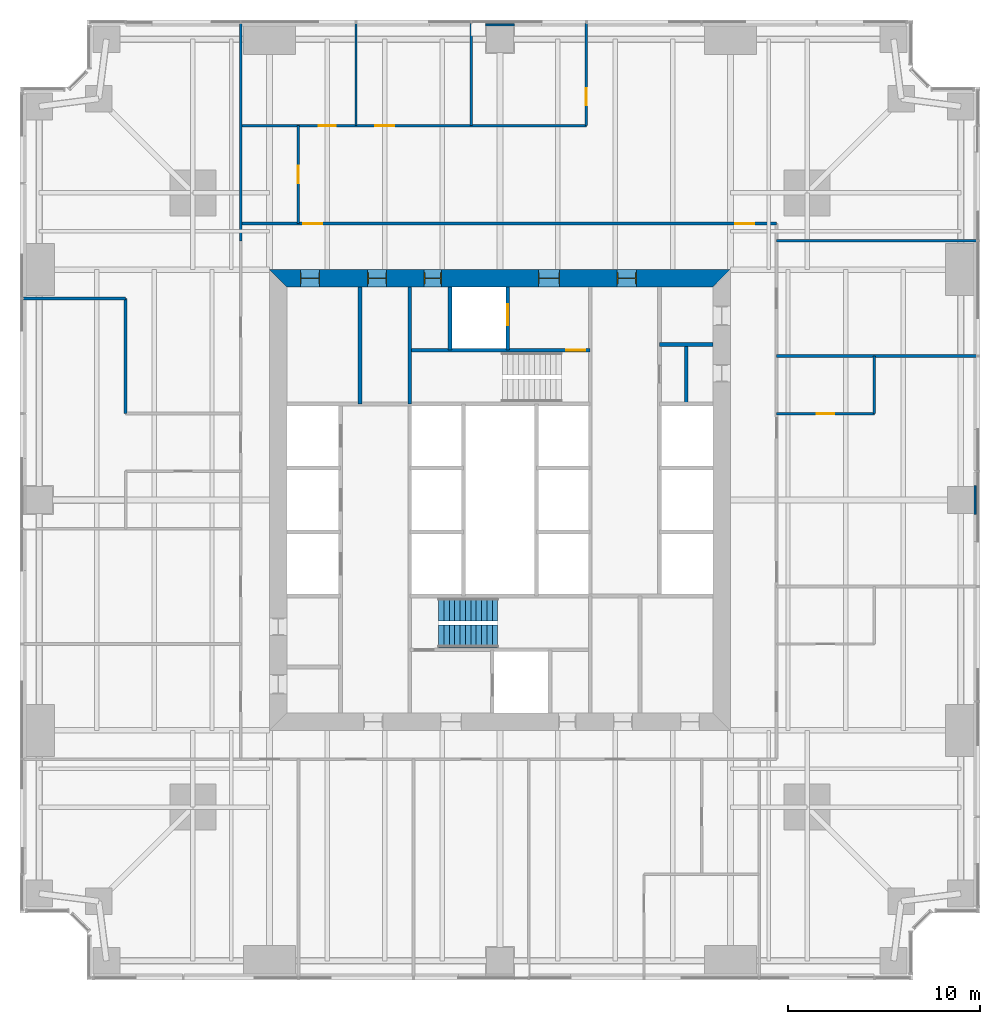
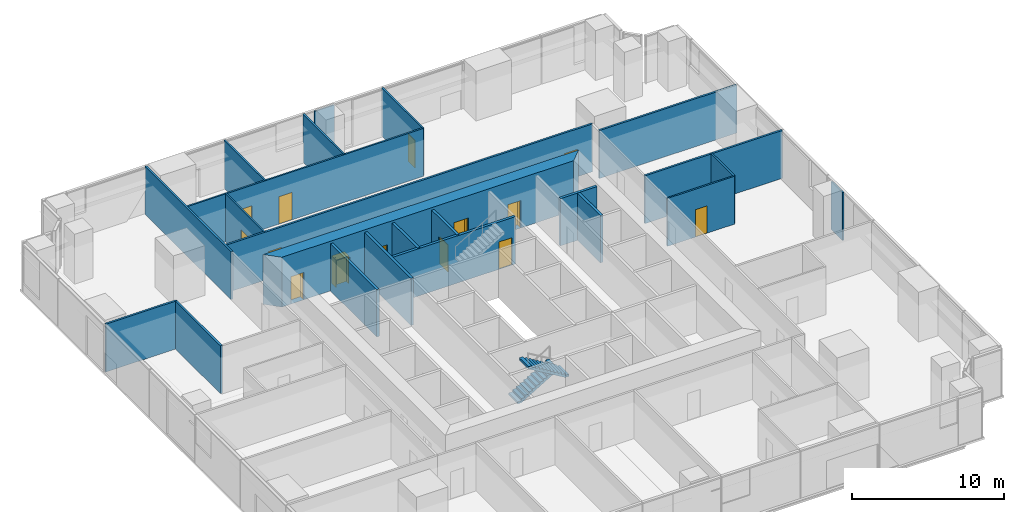
# One storey, part 11 of 14: 23 walls, 14 doors, 2 stair flights, 14 openings, 1 element without a shape of its own.
"""IFC4 building model written with IfcOpenShell, lengths in metres."""

import ifcopenshell
import ifcopenshell.guid

model = None  # the IFC model being written
_history = None  # IfcOwnerHistory: only IFC2X3 demands one
_inside = {}  # id of a spatial element -> (the spatial element, [elements in it])
_under = {}  # id of a project, library or spatial element -> (it, [spatial elements below it])
_declared = {}  # id of a project -> (the project, [libraries it declares])
_typed = {}  # id of a type object -> (the type object, [elements of that type])
_made_of = {}  # id of a material, layer set ... -> (it, [elements and type objects made of it])


def new_model(schema):
    """Start an empty IFC model of exactly this schema.

    Asked for "IFC4X3", IfcOpenShell would pick the latest addendum, in which some entities
    have other attributes; the version numbers below select the first issue.
    IFC2X3 requires an IfcOwnerHistory on every rooted entity: one is made here for all.
    """
    global model, _history
    if schema == "IFC4X3":
        model = ifcopenshell.file(schema_version=(4, 3, 0, 0))
    else:
        model = ifcopenshell.file(schema=schema)
    _inside.clear()
    _under.clear()
    _declared.clear()
    _typed.clear()
    _made_of.clear()
    _history = None
    if model.schema == "IFC2X3":
        org = make("IfcOrganization", Name="unknown")
        user = make(
            "IfcPersonAndOrganization",
            ThePerson=make("IfcPerson", FamilyName="unknown"),
            TheOrganization=org,
        )
        app = make(
            "IfcApplication",
            ApplicationDeveloper=org,
            Version="unknown",
            ApplicationFullName="unknown",
            ApplicationIdentifier="unknown",
        )
        _history = make(
            "IfcOwnerHistory",
            OwningUser=user,
            OwningApplication=app,
            ChangeAction="ADDED",
            CreationDate=0,
        )
    return model


def make(cls, **values):
    """One entity of the class cls with the attributes given. An attribute that is None is left unset."""
    return model.create_entity(
        cls, **{name: value for name, value in values.items() if value is not None}
    )


def rooted(cls, **values):
    """An entity with a GlobalId (a new one), such as an element, a storey or a relation."""
    return make(cls, GlobalId=ifcopenshell.guid.new(), OwnerHistory=_history, **values)


def si_unit(unit_type, name, prefix=None):
    """IfcSIUnit, for example si_unit("LENGTHUNIT", "METRE", prefix="MILLI")."""
    return make("IfcSIUnit", UnitType=unit_type, Prefix=prefix, Name=name)


def assignment(units):
    """IfcUnitAssignment: the units of a project."""
    return None if units is None else make("IfcUnitAssignment", Units=units)


def point(xyz):
    """IfcCartesianPoint."""
    return None if xyz is None else make("IfcCartesianPoint", Coordinates=xyz)


def direction(xyz):
    """IfcDirection."""
    return None if xyz is None else make("IfcDirection", DirectionRatios=xyz)


def frame(location, z_axis=None, x_axis=None):
    """IfcAxis2Placement3D, a coordinate frame: its origin and axes. An axis left out is left unset."""
    return make(
        "IfcAxis2Placement3D",
        Location=point(location),
        Axis=direction(z_axis),
        RefDirection=direction(x_axis),
    )


def frame_2d(location, x_axis=None):
    """IfcAxis2Placement2D, a coordinate frame in the plane: its origin and x axis."""
    return make(
        "IfcAxis2Placement2D", Location=point(location), RefDirection=direction(x_axis)
    )


def origin():
    """The frame at (0, 0, 0) with its axes left unset."""
    return frame((0.0, 0.0, 0.0))


def place(relative_to, where):
    """IfcLocalPlacement: puts the frame where relative to a parent placement (None: the world)."""
    return make(
        "IfcLocalPlacement", PlacementRelTo=relative_to, RelativePlacement=where
    )


def context(
    kind, dimensions, precision=None, world=None, true_north=None, identifier=None
):
    """IfcGeometricRepresentationContext, for example the 3D "Model" context."""
    return make(
        "IfcGeometricRepresentationContext",
        ContextIdentifier=identifier,
        ContextType=kind,
        CoordinateSpaceDimension=dimensions,
        Precision=precision,
        WorldCoordinateSystem=world,
        TrueNorth=true_north,
    )


def subcontext(parent, identifier, kind, view, scale=None):
    """IfcGeometricRepresentationSubContext, for example "Body" below "Model"."""
    return make(
        "IfcGeometricRepresentationSubContext",
        ContextIdentifier=identifier,
        ContextType=kind,
        ParentContext=parent,
        TargetScale=scale,
        TargetView=view,
    )


def project(units=None, contexts=None):
    """IfcProject with its units and contexts."""
    return rooted(
        "IfcProject",
        Name="project",
        RepresentationContexts=contexts,
        UnitsInContext=assignment(units),
    )


def spatial(cls, under=None, at=None, **own):
    """A site, building, storey or space (cls), placed at a placement, below another one or the project."""
    s = rooted(cls, ObjectPlacement=at, **own)
    if under is not None:
        _under.setdefault(under.id(), (under, []))[1].append(s)
    return s


def polyline(points):
    """IfcPolyline through the points."""
    return make("IfcPolyline", Points=[point(p) for p in points])


def profile(cls, at=None, kind="AREA", **sizes):
    """A parametric profile (cls). Its sizes go by their IFC names, for example OverallWidth=200.0."""
    return make(cls, ProfileType=kind, Position=at, **sizes)


def rectangle(**sizes):
    """IfcRectangleProfileDef."""
    return profile("IfcRectangleProfileDef", **sizes)


def outline(outer, holes=None, kind="AREA"):
    """IfcArbitraryClosedProfileDef: a profile drawn as a closed curve; with holes, ...WithVoids."""
    if holes is None:
        return make("IfcArbitraryClosedProfileDef", ProfileType=kind, OuterCurve=outer)
    return make(
        "IfcArbitraryProfileDefWithVoids",
        ProfileType=kind,
        OuterCurve=outer,
        InnerCurves=holes,
    )


def extrude(swept, where, along, depth):
    """IfcExtrudedAreaSolid: the profile swept, set in the frame where, extruded along a direction by depth."""
    return make(
        "IfcExtrudedAreaSolid",
        SweptArea=swept,
        Position=where,
        ExtrudedDirection=direction(along),
        Depth=depth,
    )


def shape(context_of_items, identifier, shape_type, items):
    """IfcShapeRepresentation: the items that make up one representation, for example the "Body"."""
    return make(
        "IfcShapeRepresentation",
        ContextOfItems=context_of_items,
        RepresentationIdentifier=identifier,
        RepresentationType=shape_type,
        Items=items,
    )


def material(Name=None, Category=None):
    """IfcMaterial."""
    return make("IfcMaterial", Name=Name, Category=Category)


def layer(
    of_material, thickness, ventilated=None, Name=None, Category=None, Priority=None
):
    """IfcMaterialLayer: one layer of a wall or slab, of a material (None: an air gap)."""
    return make(
        "IfcMaterialLayer",
        Material=of_material,
        LayerThickness=thickness,
        IsVentilated=ventilated,
        Name=Name,
        Category=Category,
        Priority=Priority,
    )


def layer_set(layers, Name=None):
    """IfcMaterialLayerSet."""
    return make("IfcMaterialLayerSet", MaterialLayers=layers, LayerSetName=Name)


def made_of(thing, what):
    """Note that an element or type object is made of a material, layer set ...; save() writes the relation."""
    if what is not None:
        _made_of.setdefault(what.id(), (what, []))[1].append(thing)
    return thing


def type_object(cls, material=None, **own):
    """A type object (cls), such as IfcWallType, which elements share."""
    return made_of(rooted(cls, **own), material)


def element(
    cls,
    number,
    at=None,
    inside=None,
    cuts=None,
    type_object=None,
    material=None,
    context=None,
    identifier="Body",
    shape_type=None,
    held_by="IfcProductDefinitionShape",
    body=None,
    shapes=None,
    **own,
):
    """One element of the class cls, such as IfcWall. Its Tag is "e" and its number.

    at: its placement. inside: the storey or other place that contains it. cuts: it is an
    opening in that element (IfcRelVoidsElement). A single representation is given by context,
    identifier, shape_type and body (its items); several are given by shapes. held_by: the class
    of the entity that holds the representations. save() writes the other relations.
    """
    e = rooted(cls, Tag="e%d" % number, ObjectPlacement=at, **own)
    if body is not None:
        shapes = [shape(context, identifier, shape_type, body)]
    if shapes is not None:
        e.Representation = make(held_by, Representations=shapes)
    if inside is not None:
        _inside.setdefault(inside.id(), (inside, []))[1].append(e)
    if cuts is not None:
        rooted(
            "IfcRelVoidsElement", RelatingBuildingElement=cuts, RelatedOpeningElement=e
        )
    if type_object is not None:
        _typed.setdefault(type_object.id(), (type_object, []))[1].append(e)
    return made_of(e, material)


def fill(opening, filler):
    """IfcRelFillsElement: the door or window that sits in an opening."""
    return rooted(
        "IfcRelFillsElement",
        RelatingOpeningElement=opening,
        RelatedBuildingElement=filler,
    )


def aggregate(whole, parts):
    """IfcRelAggregates: a whole, such as a stair, and the parts it consists of."""
    return rooted("IfcRelAggregates", RelatingObject=whole, RelatedObjects=parts)


def save(model, path):
    """Write the relations noted so far, then the file.

    IfcRelAggregates (storeys below a building ...), IfcRelContainedInSpatialStructure (elements
    in a storey), IfcRelDefinesByType, IfcRelAssociatesMaterial and IfcRelDeclares: one each for
    every whole, place, type object, material and project.
    """
    for whole, parts in _under.values():
        aggregate(whole, parts)
    for where, things in _inside.values():
        rooted(
            "IfcRelContainedInSpatialStructure",
            RelatedElements=things,
            RelatingStructure=where,
        )
    for kind, things in _typed.values():
        rooted("IfcRelDefinesByType", RelatedObjects=things, RelatingType=kind)
    for what, things in _made_of.values():
        rooted("IfcRelAssociatesMaterial", RelatedObjects=things, RelatingMaterial=what)
    for by, libraries in _declared.values():
        rooted("IfcRelDeclares", RelatingContext=by, RelatedDefinitions=libraries)
    model.write(path)


model = new_model("IFC4")

# Units and contexts
model_context = context("Model", 3, precision=1e-05, world=origin(), true_north=direction((0.0, 1.0)))
body_context = subcontext(model_context, "Body", "Model", "MODEL_VIEW")
ifc_project = project(units=[si_unit("LENGTHUNIT", "METRE"), si_unit("AREAUNIT", "SQUARE_METRE"), si_unit("VOLUMEUNIT", "CUBIC_METRE"), si_unit("PLANEANGLEUNIT", "RADIAN"), si_unit("MASSUNIT", "GRAM", prefix="KILO")], contexts=[model_context])

# Site, building, storey
site_placement = place(None, origin())
site = spatial("IfcSite", under=ifc_project, at=site_placement, CompositionType="ELEMENT")
building_placement = place(site_placement, origin())
building = spatial("IfcBuilding", under=site, at=building_placement, Name="Fenwick Lantern Interchange", CompositionType="ELEMENT")
storey_placement = place(building_placement, frame((0.0, 0.0, 71.0)))
storey = spatial("IfcBuildingStorey", under=building, at=storey_placement, Name="L16", CompositionType="ELEMENT", Elevation=71.0)

# Walls
ifc_material_1 = material(Name="Fire-rated gypsum board encasement on steel studs, 2 hour", Category="steel")
ifc_layer_1 = layer(ifc_material_1, 1.5)
ifc_layer_set_1 = layer_set([ifc_layer_1], Name="COLUMN PIER 1500")
wall_type_1 = type_object("IfcWallType", Name="COLUMN PIER 1500", PredefinedType="PARTITIONING", material=ifc_layer_set_1)
for number, where, z_axis, x_axis, name in (
    (1, (49.800048828125, 25.0, 0.0), (0.0, 0.0, 1.0), (-1.0, 0.0, 0.0), "L16/W/PIER/CE3"),
    (2, (25.0, 49.800048828125, 0.0), (0.0, 0.0, 1.0), (0.0, -1.0, 0.0), "L16/W/PIER/CN3"),
):
    element("IfcWall", number, at=place(storey_placement, frame(where, z_axis=z_axis, x_axis=x_axis)), inside=storey, type_object=wall_type_1, Name=name, PredefinedType="PARTITIONING", context=body_context, shape_type="SweptSolid", body=[
        extrude(rectangle(XDim=0.10009765625, YDim=1.5, at=frame_2d((0.050048828125, 0.0))), origin(), (0.0, 0.0, 1.0), 3.85009765625),
    ])

# Wall, opening, door
ifc_material_2 = material(Name="Concrete masonry ASTM C90 Grade N", Category="masonry")
ifc_layer_2 = layer(ifc_material_2, 0.199951171875)
ifc_layer_set_2 = layer_set([ifc_layer_2], Name="Concrete masonry ASTM C90 Grade N")
wall_type_2 = type_object("IfcWallType", Name="CORE PARTITION 200", PredefinedType="PARTITIONING", material=ifc_layer_set_2)
wall_1_placement = place(storey_placement, frame((25.39990234375, 36.10009765625, 0.0), z_axis=(0.0, 0.0, 1.0), x_axis=(0.0, -1.0, 0.0)))
wall_1 = element("IfcWall", 3, at=wall_1_placement, inside=storey, type_object=wall_type_2, Name="L16/W/COREN/h1", PredefinedType="PARTITIONING", context=body_context, shape_type="SweptSolid", body=[
    extrude(rectangle(XDim=3.300048828125, YDim=0.199951171875, at=frame_2d((1.64990234375, 0.0))), origin(), (0.0, 0.0, 1.0), 3.800048828125),
])
opening_1_placement = place(wall_1_placement, frame((0.89990234375, 0.0, 0.0)))
opening_1 = element("IfcOpeningElement", 4, at=opening_1_placement, cuts=wall_1, Name="Opening LD-FL2", PredefinedType="OPENING", context=body_context, shape_type="SweptSolid", body=[
    extrude(rectangle(XDim=1.10009765625, YDim=2.199951171875, at=frame_2d((0.550048828125, 1.10009765625))), frame((0.0, 0.10986328125, 0.0), z_axis=(0.0, -1.0, 0.0), x_axis=(1.0, 0.0, 0.0)), (0.0, 0.0, 1.0), 0.219970703125),
])
ifc_material_3 = material(Name="Steel door and frame", Category="steel")
door_type_1 = type_object("IfcDoorType", Name="LIFT LANDING DOOR 1100 X 2200", OperationType="DOUBLE_DOOR_SLIDING", PredefinedType="DOOR", material=ifc_material_3)
door_1_placement = place(opening_1_placement, origin())
door_1 = element("IfcDoor", 5, at=door_1_placement, inside=storey, type_object=door_type_1, Name="Lift landing door FL2", OperationType="DOUBLE_DOOR_SLIDING", OverallHeight=2.199951171875, OverallWidth=1.10009765625, PredefinedType="DOOR", context=body_context, shape_type="SweptSolid", body=[
    extrude(rectangle(XDim=1.10009765625, YDim=2.199951171875, at=frame_2d((0.550048828125, 1.10009765625))), frame((0.0, 0.02490234375, 0.0), z_axis=(0.0, -1.0, 0.0), x_axis=(1.0, 0.0, 0.0)), (0.0, 0.0, 1.0), 0.050048828125),
])
fill(opening_1, door_1)

# Walls
wall_2_placement = place(storey_placement, frame((22.39990234375, 36.10009765625, 0.0), z_axis=(0.0, 0.0, 1.0), x_axis=(0.0, -1.0, 0.0)))
element("IfcWall", 6, at=wall_2_placement, inside=storey, type_object=wall_type_2, Name="L16/W/COREN/h2", PredefinedType="PARTITIONING", context=body_context, shape_type="SweptSolid", body=[
    extrude(rectangle(XDim=3.300048828125, YDim=0.199951171875, at=frame_2d((1.64990234375, 0.0))), origin(), (0.0, 0.0, 1.0), 3.800048828125),
])
wall_3_placement = place(storey_placement, frame((17.699951171875, 36.10009765625, 0.0), z_axis=(0.0, 0.0, 1.0), x_axis=(0.0, -1.0, 0.0)))
element("IfcWall", 7, at=wall_3_placement, inside=storey, type_object=wall_type_2, Name="L16/W/COREN/i2", PredefinedType="PARTITIONING", context=body_context, shape_type="SweptSolid", body=[
    extrude(rectangle(XDim=6.10009765625, YDim=0.199951171875, at=frame_2d((3.050048828125, 0.0))), origin(), (0.0, 0.0, 1.0), 3.800048828125),
])
wall_4_placement = place(storey_placement, frame((36.10009765625, 33.10009765625, 0.0), z_axis=(0.0, 0.0, 1.0), x_axis=(-1.0, 0.0, 0.0)))
element("IfcWall", 8, at=wall_4_placement, inside=storey, type_object=wall_type_2, Name="L16/W/COREN/p1", PredefinedType="PARTITIONING", context=body_context, shape_type="SweptSolid", body=[
    extrude(rectangle(XDim=2.800048828125, YDim=0.199951171875, at=frame_2d((1.39990234375, 0.0))), origin(), (0.0, 0.0, 1.0), 3.800048828125),
])
wall_5_placement = place(storey_placement, frame((34.699951171875, 33.10009765625, 0.0), z_axis=(0.0, 0.0, 1.0), x_axis=(0.0, -1.0, 0.0)))
element("IfcWall", 9, at=wall_5_placement, inside=storey, type_object=wall_type_2, Name="L16/W/COREN/px", PredefinedType="PARTITIONING", context=body_context, shape_type="SweptSolid", body=[
    extrude(rectangle(XDim=3.10009765625, YDim=0.199951171875, at=frame_2d((1.550048828125, 0.0))), origin(), (0.0, 0.0, 1.0), 3.800048828125),
])

# Wall, openings, doors
ifc_material_4 = material(Name="Concrete f'c 70 MPa", Category="concrete")
ifc_layer_3 = layer(ifc_material_4, 0.89990234375)
ifc_layer_set_3 = layer_set([ifc_layer_3], Name="CORE WALL 900")
wall_type_3 = type_object("IfcWallType", Name="CORE WALL 900", PredefinedType="SHEAR", material=ifc_layer_set_3)
wall_6_placement = place(storey_placement, frame((37.0, 36.550048828125, 0.0), z_axis=(0.0, 0.0, 1.0), x_axis=(-1.0, 0.0, 0.0)))
wall_6 = element("IfcWall", 10, at=wall_6_placement, inside=storey, type_object=wall_type_3, Name="L16/CORE/N", PredefinedType="SHEAR", context=body_context, shape_type="SweptSolid", body=[
    extrude(outline(polyline([(0.0, -0.449951171875), (24.0, -0.449951171875), (23.10009765625, 0.449951171875), (0.89990234375, 0.449951171875), (0.0, -0.449951171875)])), origin(), (0.0, 0.0, 1.0), 4.0),
])
opening_2_placement = place(wall_6_placement, frame((4.89990234375, 0.0, 0.0)))
opening_2 = element("IfcOpeningElement", 11, at=opening_2_placement, cuts=wall_6, Name="Opening L16-D009", PredefinedType="OPENING", context=body_context, shape_type="SweptSolid", body=[
    extrude(rectangle(XDim=1.0, YDim=2.199951171875, at=frame_2d((0.5, 1.10009765625))), frame((0.0, 0.4599609375, 0.0), z_axis=(0.0, -1.0, 0.0), x_axis=(1.0, 0.0, 0.0)), (0.0, 0.0, 1.0), 0.919921875),
])
opening_3_placement = place(wall_6_placement, frame((8.89990234375, 0.0, 0.0)))
opening_3 = element("IfcOpeningElement", 12, at=opening_3_placement, cuts=wall_6, Name="Opening L16-D010", PredefinedType="OPENING", context=body_context, shape_type="SweptSolid", body=[
    extrude(rectangle(XDim=1.10009765625, YDim=2.199951171875, at=frame_2d((0.550048828125, 1.10009765625))), frame((0.0, 0.4599609375, 0.0), z_axis=(0.0, -1.0, 0.0), x_axis=(1.0, 0.0, 0.0)), (0.0, 0.0, 1.0), 0.919921875),
])
opening_4_placement = place(wall_6_placement, frame((15.050048828125, 0.0, 0.0)))
opening_4 = element("IfcOpeningElement", 13, at=opening_4_placement, cuts=wall_6, Name="Opening L16-D012", PredefinedType="OPENING", context=body_context, shape_type="SweptSolid", body=[
    extrude(rectangle(XDim=0.89990234375, YDim=2.199951171875, at=frame_2d((0.449951171875, 1.10009765625))), frame((0.0, 0.4599609375, 0.0), z_axis=(0.0, -1.0, 0.0), x_axis=(1.0, 0.0, 0.0)), (0.0, 0.0, 1.0), 0.919921875),
])
opening_5_placement = place(wall_6_placement, frame((17.89990234375, 0.0, 0.0)))
opening_5 = element("IfcOpeningElement", 14, at=opening_5_placement, cuts=wall_6, Name="Opening L16-D013", PredefinedType="OPENING", context=body_context, shape_type="SweptSolid", body=[
    extrude(rectangle(XDim=1.0, YDim=2.199951171875, at=frame_2d((0.5, 1.10009765625))), frame((0.0, 0.4599609375, 0.0), z_axis=(0.0, -1.0, 0.0), x_axis=(1.0, 0.0, 0.0)), (0.0, 0.0, 1.0), 0.919921875),
])
opening_6_placement = place(wall_6_placement, frame((21.39990234375, 0.0, 0.0)))
opening_6 = element("IfcOpeningElement", 15, at=opening_6_placement, cuts=wall_6, Name="Opening L16-D014", PredefinedType="OPENING", context=body_context, shape_type="SweptSolid", body=[
    extrude(rectangle(XDim=1.0, YDim=2.199951171875, at=frame_2d((0.5, 1.10009765625))), frame((0.0, 0.4599609375, 0.0), z_axis=(0.0, -1.0, 0.0), x_axis=(1.0, 0.0, 0.0)), (0.0, 0.0, 1.0), 0.919921875),
])
door_type_2 = type_object("IfcDoorType", Name="CORE LOBBY DOOR 1000 X 2200", OperationType="SINGLE_SWING_LEFT", PredefinedType="DOOR", material=ifc_material_3)
door_2_placement = place(opening_2_placement, origin())
door_2 = element("IfcDoor", 16, at=door_2_placement, inside=storey, type_object=door_type_2, Name="Core lobby door", OperationType="SINGLE_SWING_LEFT", OverallHeight=2.199951171875, OverallWidth=1.0, PredefinedType="DOOR", context=body_context, shape_type="SweptSolid", body=[
    extrude(rectangle(XDim=1.0, YDim=2.199951171875, at=frame_2d((0.5, 1.10009765625))), frame((0.0, 0.02490234375, 0.0), z_axis=(0.0, -1.0, 0.0), x_axis=(1.0, 0.0, 0.0)), (0.0, 0.0, 1.0), 0.050048828125),
    extrude(outline(polyline([(0.0, 0.0), (0.0400390625, 0.0), (0.0400390625, 2.159912109375), (0.9599609375, 2.159912109375), (0.9599609375, 0.0), (1.0, 0.0), (1.0, 2.199951171875), (0.0, 2.199951171875), (0.0, 0.0)])), frame((0.0, 0.300048828125, 0.0), z_axis=(0.0, -1.0, 0.0), x_axis=(1.0, 0.0, 0.0)), (0.0, 0.0, 1.0), 0.60009765625),
])
fill(opening_2, door_2)
door_type_3 = type_object("IfcDoorType", Name="FIRE LOBBY DOOR 1100 X 2200", OperationType="SINGLE_SWING_LEFT", PredefinedType="DOOR", material=ifc_material_3)
door_3_placement = place(opening_3_placement, origin())
door_3 = element("IfcDoor", 17, at=door_3_placement, inside=storey, type_object=door_type_3, Name="Fire lobby door", OperationType="SINGLE_SWING_LEFT", OverallHeight=2.199951171875, OverallWidth=1.10009765625, PredefinedType="DOOR", context=body_context, shape_type="SweptSolid", body=[
    extrude(rectangle(XDim=1.10009765625, YDim=2.199951171875, at=frame_2d((0.550048828125, 1.10009765625))), frame((0.0, 0.02490234375, 0.0), z_axis=(0.0, -1.0, 0.0), x_axis=(1.0, 0.0, 0.0)), (0.0, 0.0, 1.0), 0.050048828125),
    extrude(outline(polyline([(0.0, 0.0), (0.0400390625, 0.0), (0.0400390625, 2.159912109375), (1.06005859375, 2.159912109375), (1.06005859375, 0.0), (1.10009765625, 0.0), (1.10009765625, 2.199951171875), (0.0, 2.199951171875), (0.0, 0.0)])), frame((0.0, 0.300048828125, 0.0), z_axis=(0.0, -1.0, 0.0), x_axis=(1.0, 0.0, 0.0)), (0.0, 0.0, 1.0), 0.60009765625),
])
fill(opening_3, door_3)
door_type_4 = type_object("IfcDoorType", Name="SERVICE DOOR 900 X 2200", OperationType="SINGLE_SWING_LEFT", PredefinedType="DOOR", material=ifc_material_3)
door_4_placement = place(opening_4_placement, origin())
door_4 = element("IfcDoor", 18, at=door_4_placement, inside=storey, type_object=door_type_4, Name="Service door", OperationType="SINGLE_SWING_LEFT", OverallHeight=2.199951171875, OverallWidth=0.89990234375, PredefinedType="DOOR", context=body_context, shape_type="SweptSolid", body=[
    extrude(rectangle(XDim=0.89990234375, YDim=2.199951171875, at=frame_2d((0.449951171875, 1.10009765625))), frame((0.0, 0.02490234375, 0.0), z_axis=(0.0, -1.0, 0.0), x_axis=(1.0, 0.0, 0.0)), (0.0, 0.0, 1.0), 0.050048828125),
    extrude(outline(polyline([(0.0, 0.0), (0.0400390625, 0.0), (0.0400390625, 2.159912109375), (0.85986328125, 2.159912109375), (0.85986328125, 0.0), (0.89990234375, 0.0), (0.89990234375, 2.199951171875), (0.0, 2.199951171875), (0.0, 0.0)])), frame((0.0, 0.300048828125, 0.0), z_axis=(0.0, -1.0, 0.0), x_axis=(1.0, 0.0, 0.0)), (0.0, 0.0, 1.0), 0.60009765625),
])
fill(opening_4, door_4)
ifc_material_5 = material(Name="Hardwood door and steel frame", Category="steel")
door_type_5 = type_object("IfcDoorType", Name="WC DOOR 1000 X 2200", OperationType="SINGLE_SWING_LEFT", PredefinedType="DOOR", material=ifc_material_5)
door_5_placement = place(opening_5_placement, origin())
door_5 = element("IfcDoor", 19, at=door_5_placement, inside=storey, type_object=door_type_5, Name="Wc door", OperationType="SINGLE_SWING_RIGHT", OverallHeight=2.199951171875, OverallWidth=1.0, PredefinedType="DOOR", context=body_context, shape_type="SweptSolid", body=[
    extrude(rectangle(XDim=1.0, YDim=2.199951171875, at=frame_2d((0.5, 1.10009765625))), frame((0.0, 0.02490234375, 0.0), z_axis=(0.0, -1.0, 0.0), x_axis=(1.0, 0.0, 0.0)), (0.0, 0.0, 1.0), 0.050048828125),
    extrude(outline(polyline([(0.0, 0.0), (0.0400390625, 0.0), (0.0400390625, 2.159912109375), (0.9599609375, 2.159912109375), (0.9599609375, 0.0), (1.0, 0.0), (1.0, 2.199951171875), (0.0, 2.199951171875), (0.0, 0.0)])), frame((0.0, 0.300048828125, 0.0), z_axis=(0.0, -1.0, 0.0), x_axis=(1.0, 0.0, 0.0)), (0.0, 0.0, 1.0), 0.60009765625),
])
fill(opening_5, door_5)
door_6_placement = place(opening_6_placement, origin())
door_6 = element("IfcDoor", 20, at=door_6_placement, inside=storey, type_object=door_type_5, Name="Wc door", OperationType="SINGLE_SWING_RIGHT", OverallHeight=2.199951171875, OverallWidth=1.0, PredefinedType="DOOR", context=body_context, shape_type="SweptSolid", body=[
    extrude(rectangle(XDim=1.0, YDim=2.199951171875, at=frame_2d((0.5, 1.10009765625))), frame((0.0, 0.02490234375, 0.0), z_axis=(0.0, -1.0, 0.0), x_axis=(1.0, 0.0, 0.0)), (0.0, 0.0, 1.0), 0.050048828125),
    extrude(outline(polyline([(0.0, 0.0), (0.0400390625, 0.0), (0.0400390625, 2.159912109375), (0.9599609375, 2.159912109375), (0.9599609375, 0.0), (1.0, 0.0), (1.0, 2.199951171875), (0.0, 2.199951171875), (0.0, 0.0)])), frame((0.0, 0.300048828125, 0.0), z_axis=(0.0, -1.0, 0.0), x_axis=(1.0, 0.0, 0.0)), (0.0, 0.0, 1.0), 0.60009765625),
])
fill(opening_6, door_6)

ifc_material_6 = material(Name="Gypsum board on steel studs, 1 hour", Category="steel")
ifc_layer_4 = layer(ifc_material_6, 0.14990234375)
ifc_layer_set_4 = layer_set([ifc_layer_4], Name="CORRIDOR WALL 150")
wall_type_4 = type_object("IfcWallType", Name="CORRIDOR WALL 150", PredefinedType="PARTITIONING", material=ifc_layer_set_4)
wall_7_placement = place(storey_placement, frame((39.39990234375, 39.39990234375, 0.0), z_axis=(0.0, 0.0, 1.0), x_axis=(-1.0, 0.0, 0.0)))
wall_7 = element("IfcWall", 21, at=wall_7_placement, inside=storey, type_object=wall_type_4, Name="L16/W/OFF/N/CW2", PredefinedType="PARTITIONING", context=body_context, shape_type="SweptSolid", body=[
    extrude(rectangle(XDim=27.89990234375, YDim=0.14990234375, at=frame_2d((13.949951171875, 0.0))), origin(), (0.0, 0.0, 1.0), 3.85009765625),
])
opening_7_placement = place(wall_7_placement, frame((1.14990234375, 0.0, 0.0)))
opening_7 = element("IfcOpeningElement", 22, at=opening_7_placement, cuts=wall_7, Name="Opening L16-D030", PredefinedType="OPENING", context=body_context, shape_type="SweptSolid", body=[
    extrude(rectangle(XDim=1.0, YDim=2.199951171875, at=frame_2d((0.5, 1.10009765625))), frame((0.0, 0.0849609375, 0.0), z_axis=(0.0, -1.0, 0.0), x_axis=(1.0, 0.0, 0.0)), (0.0, 0.0, 1.0), 0.169921875),
])
opening_8_placement = place(wall_7_placement, frame((23.64990234375, 0.0, 0.0)))
opening_8 = element("IfcOpeningElement", 23, at=opening_8_placement, cuts=wall_7, Name="Opening L16-D031", PredefinedType="OPENING", context=body_context, shape_type="SweptSolid", body=[
    extrude(rectangle(XDim=1.0, YDim=2.199951171875, at=frame_2d((0.5, 1.10009765625))), frame((0.0, 0.0849609375, 0.0), z_axis=(0.0, -1.0, 0.0), x_axis=(1.0, 0.0, 0.0)), (0.0, 0.0, 1.0), 0.169921875),
])
door_type_6 = type_object("IfcDoorType", Name="SUITE ENTRANCE DOOR 1000 X 2200", OperationType="SINGLE_SWING_LEFT", PredefinedType="DOOR", material=ifc_material_3)
door_7_placement = place(opening_7_placement, origin())
door_7 = element("IfcDoor", 24, at=door_7_placement, inside=storey, type_object=door_type_6, Name="Suite entrance door", OperationType="SINGLE_SWING_LEFT", OverallHeight=2.199951171875, OverallWidth=1.0, PredefinedType="DOOR", context=body_context, shape_type="SweptSolid", body=[
    extrude(rectangle(XDim=1.0, YDim=2.199951171875, at=frame_2d((0.5, 1.10009765625))), frame((0.0, 0.02490234375, 0.0), z_axis=(0.0, -1.0, 0.0), x_axis=(1.0, 0.0, 0.0)), (0.0, 0.0, 1.0), 0.050048828125),
])
fill(opening_7, door_7)
door_8_placement = place(opening_8_placement, origin())
door_8 = element("IfcDoor", 25, at=door_8_placement, inside=storey, type_object=door_type_6, Name="Suite entrance door", OperationType="SINGLE_SWING_RIGHT", OverallHeight=2.199951171875, OverallWidth=1.0, PredefinedType="DOOR", context=body_context, shape_type="SweptSolid", body=[
    extrude(rectangle(XDim=1.0, YDim=2.199951171875, at=frame_2d((0.5, 1.10009765625))), frame((0.0, 0.02490234375, 0.0), z_axis=(0.0, -1.0, 0.0), x_axis=(1.0, 0.0, 0.0)), (0.0, 0.0, 1.0), 0.050048828125),
])
fill(opening_8, door_8)

# Wall, opening, door
ifc_material_7 = material(Name="Gypsum board on steel studs, acoustic", Category="steel")
ifc_layer_5 = layer(ifc_material_7, 0.125)
ifc_layer_set_5 = layer_set([ifc_layer_5], Name="OFFICE PARTITION 125")
wall_type_5 = type_object("IfcWallType", Name="OFFICE PARTITION 125", PredefinedType="PARTITIONING", material=ifc_layer_set_5)
wall_8_placement = place(storey_placement, frame((44.5, 29.5, 0.0), z_axis=(0.0, 0.0, 1.0), x_axis=(-1.0, 0.0, 0.0)))
wall_8 = element("IfcWall", 26, at=wall_8_placement, inside=storey, type_object=wall_type_5, Name="L16/W/OFF/E/X295-1", PredefinedType="PARTITIONING", context=body_context, shape_type="SweptSolid", body=[
    extrude(rectangle(XDim=5.10009765625, YDim=0.125, at=frame_2d((2.550048828125, 0.0))), origin(), (0.0, 0.0, 1.0), 3.85009765625),
])
opening_9_placement = place(wall_8_placement, frame((2.10009765625, 0.0, 0.0)))
opening_9 = element("IfcOpeningElement", 27, at=opening_9_placement, cuts=wall_8, Name="Opening L16-D028", PredefinedType="OPENING", context=body_context, shape_type="SweptSolid", body=[
    extrude(rectangle(XDim=0.89990234375, YDim=2.199951171875, at=frame_2d((0.449951171875, 1.10009765625))), frame((0.0, 0.072509765625, 0.0), z_axis=(0.0, -1.0, 0.0), x_axis=(1.0, 0.0, 0.0)), (0.0, 0.0, 1.0), 0.14501953125),
])
door_type_7 = type_object("IfcDoorType", Name="OFFICE DOOR 900 X 2200", OperationType="SINGLE_SWING_LEFT", PredefinedType="DOOR", material=ifc_material_5)
door_9_placement = place(opening_9_placement, frame((0.89990234375, 0.0, 0.0), z_axis=(0.0, 0.0, 1.0), x_axis=(-1.0, 0.0, 0.0)))
door_9 = element("IfcDoor", 28, at=door_9_placement, inside=storey, type_object=door_type_7, Name="Office door", OperationType="SINGLE_SWING_RIGHT", OverallHeight=2.199951171875, OverallWidth=0.89990234375, PredefinedType="DOOR", context=body_context, shape_type="SweptSolid", body=[
    extrude(rectangle(XDim=0.89990234375, YDim=2.199951171875, at=frame_2d((0.449951171875, 1.10009765625))), frame((0.0, 0.02490234375, 0.0), z_axis=(0.0, -1.0, 0.0), x_axis=(1.0, 0.0, 0.0)), (0.0, 0.0, 1.0), 0.050048828125),
])
fill(opening_9, door_9)

# Wall
wall_9_placement = place(storey_placement, frame((44.5, 29.5, 0.0), z_axis=(0.0, 0.0, 1.0), x_axis=(0.0, 1.0, 0.0)))
element("IfcWall", 29, at=wall_9_placement, inside=storey, type_object=wall_type_5, Name="L16/W/OFF/E/Y55-2", PredefinedType="PARTITIONING", context=body_context, shape_type="SweptSolid", body=[
    extrude(rectangle(XDim=3.0, YDim=0.125, at=frame_2d((1.5, 0.0))), origin(), (0.0, 0.0, 1.0), 3.85009765625),
])

# Wall, opening, door
wall_10_placement = place(storey_placement, frame((29.5, 49.85009765625, 0.0), z_axis=(0.0, 0.0, 1.0), x_axis=(0.0, -1.0, 0.0)))
wall_10 = element("IfcWall", 30, at=wall_10_placement, inside=storey, type_object=wall_type_5, Name="L16/W/OFF/N/X205-1", PredefinedType="PARTITIONING", context=body_context, shape_type="SweptSolid", body=[
    extrude(rectangle(XDim=5.35009765625, YDim=0.125, at=frame_2d((2.675048828125, 0.0))), origin(), (0.0, 0.0, 1.0), 3.85009765625),
])
opening_10_placement = place(wall_10_placement, frame((3.39990234375, 0.0, 0.0)))
opening_10 = element("IfcOpeningElement", 31, at=opening_10_placement, cuts=wall_10, Name="Opening L16-D032", PredefinedType="OPENING", context=body_context, shape_type="SweptSolid", body=[
    extrude(rectangle(XDim=0.89990234375, YDim=2.199951171875, at=frame_2d((0.449951171875, 1.10009765625))), frame((0.0, 0.072509765625, 0.0), z_axis=(0.0, -1.0, 0.0), x_axis=(1.0, 0.0, 0.0)), (0.0, 0.0, 1.0), 0.14501953125),
])
door_10_placement = place(opening_10_placement, frame((0.89990234375, 0.0, 0.0), z_axis=(0.0, 0.0, 1.0), x_axis=(-1.0, 0.0, 0.0)))
door_10 = element("IfcDoor", 32, at=door_10_placement, inside=storey, type_object=door_type_7, Name="Office door", OperationType="SINGLE_SWING_LEFT", OverallHeight=2.199951171875, OverallWidth=0.89990234375, PredefinedType="DOOR", context=body_context, shape_type="SweptSolid", body=[
    extrude(rectangle(XDim=0.89990234375, YDim=2.199951171875, at=frame_2d((0.449951171875, 1.10009765625))), frame((0.0, 0.02490234375, 0.0), z_axis=(0.0, -1.0, 0.0), x_axis=(1.0, 0.0, 0.0)), (0.0, 0.0, 1.0), 0.050048828125),
])
fill(opening_10, door_10)

# Walls
for number, where, z_axis, x_axis, name in (
    (33, (23.5, 49.85009765625, 0.0), (0.0, 0.0, 1.0), (0.0, -1.0, 0.0), "L16/W/OFF/N/X265-1"),
    (34, (17.5, 49.85009765625, 0.0), (0.0, 0.0, 1.0), (0.0, -1.0, 0.0), "L16/W/OFF/N/X325-1"),
):
    element("IfcWall", number, at=place(storey_placement, frame(where, z_axis=z_axis, x_axis=x_axis)), inside=storey, type_object=wall_type_5, Name=name, PredefinedType="PARTITIONING", context=body_context, shape_type="SweptSolid", body=[
        extrude(rectangle(XDim=5.35009765625, YDim=0.125, at=frame_2d((2.675048828125, 0.0))), origin(), (0.0, 0.0, 1.0), 3.85009765625),
    ])

# Wall, opening, door
wall_11_placement = place(storey_placement, frame((14.5, 44.5, 0.0), z_axis=(0.0, 0.0, 1.0), x_axis=(0.0, -1.0, 0.0)))
wall_11 = element("IfcWall", 35, at=wall_11_placement, inside=storey, type_object=wall_type_5, Name="L16/W/OFF/N/X355-1", PredefinedType="PARTITIONING", context=body_context, shape_type="SweptSolid", body=[
    extrude(rectangle(XDim=5.10009765625, YDim=0.125, at=frame_2d((2.550048828125, 0.0))), origin(), (0.0, 0.0, 1.0), 3.85009765625),
])
opening_11_placement = place(wall_11_placement, frame((2.10009765625, 0.0, 0.0)))
opening_11 = element("IfcOpeningElement", 36, at=opening_11_placement, cuts=wall_11, Name="Opening L16-D035", PredefinedType="OPENING", context=body_context, shape_type="SweptSolid", body=[
    extrude(rectangle(XDim=0.89990234375, YDim=2.199951171875, at=frame_2d((0.449951171875, 1.10009765625))), frame((0.0, 0.072509765625, 0.0), z_axis=(0.0, -1.0, 0.0), x_axis=(1.0, 0.0, 0.0)), (0.0, 0.0, 1.0), 0.14501953125),
])
door_11_placement = place(opening_11_placement, frame((0.89990234375, 0.0, 0.0), z_axis=(0.0, 0.0, 1.0), x_axis=(-1.0, 0.0, 0.0)))
door_11 = element("IfcDoor", 37, at=door_11_placement, inside=storey, type_object=door_type_7, Name="Office door", OperationType="SINGLE_SWING_RIGHT", OverallHeight=2.199951171875, OverallWidth=0.89990234375, PredefinedType="DOOR", context=body_context, shape_type="SweptSolid", body=[
    extrude(rectangle(XDim=0.89990234375, YDim=2.199951171875, at=frame_2d((0.449951171875, 1.10009765625))), frame((0.0, 0.02490234375, 0.0), z_axis=(0.0, -1.0, 0.0), x_axis=(1.0, 0.0, 0.0)), (0.0, 0.0, 1.0), 0.050048828125),
])
fill(opening_11, door_11)

# Wall, openings, doors
wall_12_placement = place(storey_placement, frame((29.5, 44.5, 0.0), z_axis=(0.0, 0.0, 1.0), x_axis=(-1.0, 0.0, 0.0)))
wall_12 = element("IfcWall", 38, at=wall_12_placement, inside=storey, type_object=wall_type_5, Name="L16/W/OFF/N/Y55-1", PredefinedType="PARTITIONING", context=body_context, shape_type="SweptSolid", body=[
    extrude(rectangle(XDim=18.0, YDim=0.125, at=frame_2d((9.0, 0.0))), origin(), (0.0, 0.0, 1.0), 3.85009765625),
])
opening_12_placement = place(wall_12_placement, frame((10.0, 0.0, 0.0)))
opening_12 = element("IfcOpeningElement", 39, at=opening_12_placement, cuts=wall_12, Name="Opening L16-D033", PredefinedType="OPENING", context=body_context, shape_type="SweptSolid", body=[
    extrude(rectangle(XDim=1.0, YDim=2.199951171875, at=frame_2d((0.5, 1.10009765625))), frame((0.0, 0.072509765625, 0.0), z_axis=(0.0, -1.0, 0.0), x_axis=(1.0, 0.0, 0.0)), (0.0, 0.0, 1.0), 0.14501953125),
])
opening_13_placement = place(wall_12_placement, frame((13.050048828125, 0.0, 0.0)))
opening_13 = element("IfcOpeningElement", 40, at=opening_13_placement, cuts=wall_12, Name="Opening L16-D034", PredefinedType="OPENING", context=body_context, shape_type="SweptSolid", body=[
    extrude(rectangle(XDim=0.89990234375, YDim=2.199951171875, at=frame_2d((0.449951171875, 1.10009765625))), frame((0.0, 0.072509765625, 0.0), z_axis=(0.0, -1.0, 0.0), x_axis=(1.0, 0.0, 0.0)), (0.0, 0.0, 1.0), 0.14501953125),
])
door_type_8 = type_object("IfcDoorType", Name="MEETING ROOM DOOR 1000 X 2200", OperationType="SINGLE_SWING_LEFT", PredefinedType="DOOR", material=ifc_material_5)
door_12_placement = place(opening_12_placement, frame((1.0, 0.0, 0.0), z_axis=(0.0, 0.0, 1.0), x_axis=(-1.0, 0.0, 0.0)))
door_12 = element("IfcDoor", 41, at=door_12_placement, inside=storey, type_object=door_type_8, Name="Meeting room door", OperationType="SINGLE_SWING_LEFT", OverallHeight=2.199951171875, OverallWidth=1.0, PredefinedType="DOOR", context=body_context, shape_type="SweptSolid", body=[
    extrude(rectangle(XDim=1.0, YDim=2.199951171875, at=frame_2d((0.5, 1.10009765625))), frame((0.0, 0.02490234375, 0.0), z_axis=(0.0, -1.0, 0.0), x_axis=(1.0, 0.0, 0.0)), (0.0, 0.0, 1.0), 0.050048828125),
])
fill(opening_12, door_12)
door_13_placement = place(opening_13_placement, frame((0.89990234375, 0.0, 0.0), z_axis=(0.0, 0.0, 1.0), x_axis=(-1.0, 0.0, 0.0)))
door_13 = element("IfcDoor", 42, at=door_13_placement, inside=storey, type_object=door_type_7, Name="Office door", OperationType="SINGLE_SWING_RIGHT", OverallHeight=2.199951171875, OverallWidth=0.89990234375, PredefinedType="DOOR", context=body_context, shape_type="SweptSolid", body=[
    extrude(rectangle(XDim=0.89990234375, YDim=2.199951171875, at=frame_2d((0.449951171875, 1.10009765625))), frame((0.0, 0.02490234375, 0.0), z_axis=(0.0, -1.0, 0.0), x_axis=(1.0, 0.0, 0.0)), (0.0, 0.0, 1.0), 0.050048828125),
])
fill(opening_13, door_13)

# Wall, opening, door
ifc_material_8 = material(Name="Concrete f'c 45 MPa", Category="concrete")
ifc_layer_6 = layer(ifc_material_8, 0.199951171875)
ifc_layer_set_6 = layer_set([ifc_layer_6], Name="STAIR CORE WALL 200")
wall_type_6 = type_object("IfcWallType", Name="STAIR CORE WALL 200", PredefinedType="SOLIDWALL", material=ifc_layer_set_6)
wall_13_placement = place(storey_placement, frame((29.699951171875, 32.800048828125, 0.0), z_axis=(0.0, 0.0, 1.0), x_axis=(-1.0, 0.0, 0.0)))
wall_13 = element("IfcWall", 43, at=wall_13_placement, inside=storey, type_object=wall_type_6, Name="L16/W/COREN/g1", PredefinedType="SOLIDWALL", context=body_context, shape_type="SweptSolid", body=[
    extrude(rectangle(XDim=9.39990234375, YDim=0.199951171875, at=frame_2d((4.699951171875, 0.0))), origin(), (0.0, 0.0, 1.0), 3.800048828125),
])
opening_14_placement = place(wall_13_placement, frame((0.25, 0.0, 0.0)))
opening_14 = element("IfcOpeningElement", 44, at=opening_14_placement, cuts=wall_13, Name="Opening L16-D011", PredefinedType="OPENING", context=body_context, shape_type="SweptSolid", body=[
    extrude(rectangle(XDim=1.0, YDim=2.199951171875, at=frame_2d((0.5, 1.10009765625))), frame((0.0, 0.10986328125, 0.0), z_axis=(0.0, -1.0, 0.0), x_axis=(1.0, 0.0, 0.0)), (0.0, 0.0, 1.0), 0.219970703125),
])
door_type_9 = type_object("IfcDoorType", Name="STAIR DOOR 1000 X 2200", OperationType="SINGLE_SWING_LEFT", PredefinedType="DOOR", material=ifc_material_3)
door_14_placement = place(opening_14_placement, origin())
door_14 = element("IfcDoor", 45, at=door_14_placement, inside=storey, type_object=door_type_9, Name="Stair door", OperationType="SINGLE_SWING_LEFT", OverallHeight=2.199951171875, OverallWidth=1.0, PredefinedType="DOOR", context=body_context, shape_type="SweptSolid", body=[
    extrude(rectangle(XDim=1.0, YDim=2.199951171875, at=frame_2d((0.5, 1.10009765625))), frame((0.0, 0.02490234375, 0.0), z_axis=(0.0, -1.0, 0.0), x_axis=(1.0, 0.0, 0.0)), (0.0, 0.0, 1.0), 0.050048828125),
])
fill(opening_14, door_14)

# Walls
wall_14_placement = place(storey_placement, frame((20.300048828125, 36.10009765625, 0.0), z_axis=(0.0, 0.0, 1.0), x_axis=(0.0, -1.0, 0.0)))
element("IfcWall", 46, at=wall_14_placement, inside=storey, type_object=wall_type_6, Name="L16/W/COREN/i1", PredefinedType="SOLIDWALL", context=body_context, shape_type="SweptSolid", body=[
    extrude(rectangle(XDim=6.10009765625, YDim=0.199951171875, at=frame_2d((3.050048828125, 0.0))), origin(), (0.0, 0.0, 1.0), 3.800048828125),
])
ifc_material_9 = material(Name="Gypsum board on steel studs, 1 hour acoustic", Category="steel")
ifc_layer_7 = layer(ifc_material_9, 0.14990234375)
ifc_layer_set_7 = layer_set([ifc_layer_7], Name="TENANT WALL 150")
wall_type_7 = type_object("IfcWallType", Name="TENANT WALL 150", PredefinedType="PARTITIONING", material=ifc_layer_set_7)
for number, where, z_axis, x_axis, name in (
    (47, (49.85009765625, 32.5, 0.0), (0.0, 0.0, 1.0), (-1.0, 0.0, 0.0), "L16/W/OFF/E/X325-1"),
    (48, (49.85009765625, 38.5, 0.0), (0.0, 0.0, 1.0), (-1.0, 0.0, 0.0), "L16/W/OFF/N/BACK"),
):
    element("IfcWall", number, at=place(storey_placement, frame(where, z_axis=z_axis, x_axis=x_axis)), inside=storey, type_object=wall_type_7, Name=name, PredefinedType="PARTITIONING", context=body_context, shape_type="SweptSolid", body=[
        extrude(rectangle(XDim=10.4501953125, YDim=0.14990234375, at=frame_2d((5.22509765625, 0.0))), origin(), (0.0, 0.0, 1.0), 3.85009765625),
    ])
wall_15_placement = place(storey_placement, frame((11.5, 49.85009765625, 0.0), z_axis=(0.0, 0.0, 1.0), x_axis=(0.0, -1.0, 0.0)))
element("IfcWall", 49, at=wall_15_placement, inside=storey, type_object=wall_type_7, Name="L16/W/OFF/W/BACK", PredefinedType="PARTITIONING", context=body_context, shape_type="SweptSolid", body=[
    extrude(rectangle(XDim=11.35009765625, YDim=0.14990234375, at=frame_2d((5.675048828125, 0.0))), origin(), (0.0, 0.0, 1.0), 3.85009765625),
])
wall_16_placement = place(storey_placement, frame((0.14990234375, 35.5, 0.0), z_axis=(0.0, 0.0, 1.0), x_axis=(1.0, 0.0, 0.0)))
element("IfcWall", 50, at=wall_16_placement, inside=storey, type_object=wall_type_7, Name="L16/W/OFF/W/X145-1", PredefinedType="PARTITIONING", context=body_context, shape_type="SweptSolid", body=[
    extrude(rectangle(XDim=5.35009765625, YDim=0.14990234375, at=frame_2d((2.675048828125, 0.0))), origin(), (0.0, 0.0, 1.0), 3.85009765625),
])
wall_17_placement = place(storey_placement, frame((5.5, 35.5, 0.0), z_axis=(0.0, 0.0, 1.0), x_axis=(0.0, -1.0, 0.0)))
element("IfcWall", 51, at=wall_17_placement, inside=storey, type_object=wall_type_7, Name="L16/W/OFF/W/Y55-1", PredefinedType="PARTITIONING", context=body_context, shape_type="SweptSolid", body=[
    extrude(rectangle(XDim=6.0, YDim=0.14990234375, at=frame_2d((3.0, 0.0))), origin(), (0.0, 0.0, 1.0), 3.85009765625),
])

# Stair, stair flights
ifc_material_10 = material(Name="Precast concrete f'c 35 MPa", Category="concrete")
stair_type = type_object("IfcStairType", Name="EXIT STAIR 1200", PredefinedType="HALF_TURN_STAIR", material=ifc_material_10)
stair_placement = place(storey_placement, origin())
stair = element("IfcStair", 52, at=stair_placement, inside=storey, type_object=stair_type, Name="Exit stair ST1", PredefinedType="HALF_TURN_STAIR")
stair_flight_type = type_object("IfcStairFlightType", Name="STAIR FLIGHT 1200", PredefinedType="STRAIGHT", material=ifc_material_10)
stair_flight_1_placement = place(storey_placement, frame((21.800048828125, 19.300048828125, 0.0), z_axis=(0.0, 0.0, 1.0), x_axis=(1.0, 0.0, 0.0)))
stair_flight_1 = element("IfcStairFlight", 53, at=stair_flight_1_placement, type_object=stair_flight_type, Name="ST1 flight 1", NumberOfRisers=12, NumberOfTreads=11, PredefinedType="STRAIGHT", RiserHeight=0.166666667, TreadLength=0.28, context=body_context, shape_type="SweptSolid", body=[
    extrude(outline(polyline([(0.0, 0.0), (0.0, 0.166748046875), (0.280029296875, 0.166748046875), (0.280029296875, 0.333251953125), (0.56005859375, 0.333251953125), (0.56005859375, 0.5), (0.840087890625, 0.5), (0.840087890625, 0.666748046875), (1.1201171875, 0.666748046875), (1.1201171875, 0.833251953125), (1.39990234375, 0.833251953125), (1.39990234375, 1.0), (1.679931640625, 1.0), (1.679931640625, 1.166748046875), (1.9599609375, 1.166748046875), (1.9599609375, 1.333251953125), (2.239990234375, 1.333251953125), (2.239990234375, 1.5), (2.52001953125, 1.5), (2.52001953125, 1.666748046875), (2.800048828125, 1.666748046875), (2.800048828125, 1.833251953125), (3.080078125, 1.833251953125), (3.080078125, 2.0), (3.080078125, 1.658935546875), (0.29296875, 0.0), (0.0, 0.0)])), frame((0.0, 0.60009765625, 0.0), z_axis=(0.0, -1.0, 0.0), x_axis=(1.0, 0.0, 0.0)), (0.0, 0.0, 1.0), 1.199951171875),
])
stair_flight_2_placement = place(storey_placement, frame((24.8798828125, 17.89990234375, 2.0), z_axis=(0.0, 0.0, 1.0), x_axis=(-1.0, 0.0, 0.0)))
stair_flight_2 = element("IfcStairFlight", 54, at=stair_flight_2_placement, type_object=stair_flight_type, Name="ST1 flight 2", NumberOfRisers=12, NumberOfTreads=11, PredefinedType="STRAIGHT", RiserHeight=0.166666667, TreadLength=0.28, context=body_context, shape_type="SweptSolid", body=[
    extrude(outline(polyline([(0.0, 0.0), (0.0, 0.166748046875), (0.280029296875, 0.166748046875), (0.280029296875, 0.333251953125), (0.56005859375, 0.333251953125), (0.56005859375, 0.5), (0.840087890625, 0.5), (0.840087890625, 0.666748046875), (1.1201171875, 0.666748046875), (1.1201171875, 0.833251953125), (1.39990234375, 0.833251953125), (1.39990234375, 1.0), (1.679931640625, 1.0), (1.679931640625, 1.166748046875), (1.9599609375, 1.166748046875), (1.9599609375, 1.333251953125), (2.239990234375, 1.333251953125), (2.239990234375, 1.5), (2.52001953125, 1.5), (2.52001953125, 1.666748046875), (2.800048828125, 1.666748046875), (2.800048828125, 1.833251953125), (3.080078125, 1.833251953125), (3.080078125, 2.0), (3.080078125, 1.658935546875), (0.29296875, 0.0), (0.0, 0.0)])), frame((0.0, 0.60009765625, 0.0), z_axis=(0.0, -1.0, 0.0), x_axis=(1.0, 0.0, 0.0)), (0.0, 0.0, 1.0), 1.199951171875),
])
aggregate(stair, [stair_flight_1, stair_flight_2])

save(model, "model.ifc")
